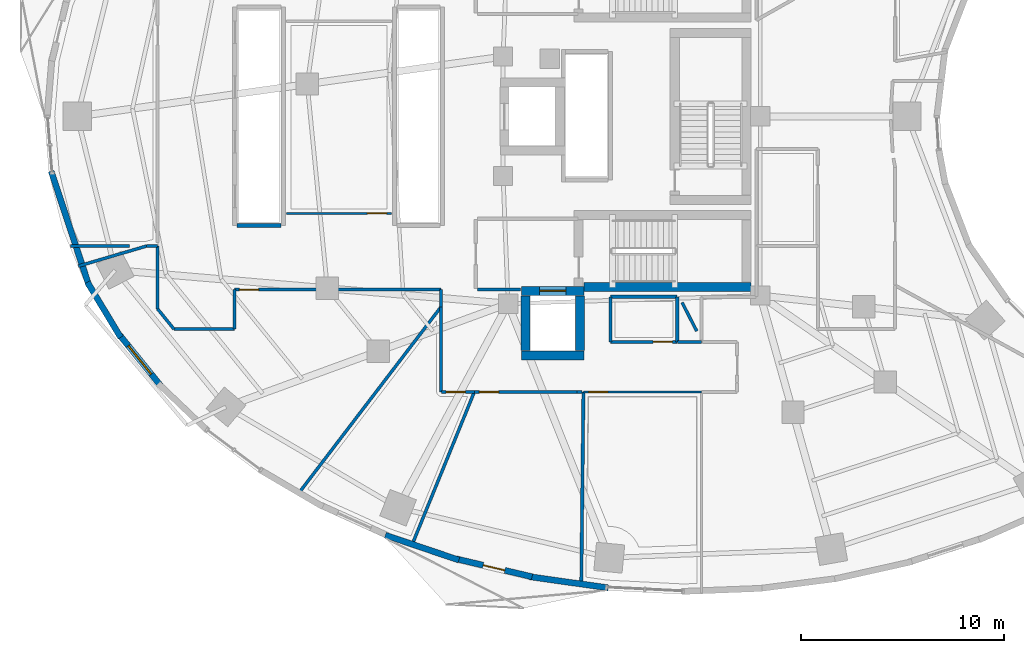
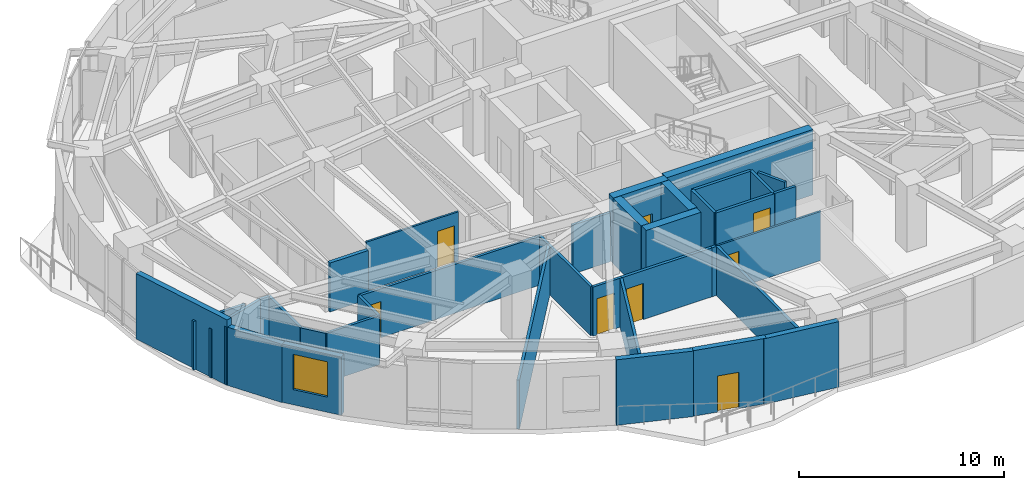
# One storey, part 8 of 15: 37 walls, 8 doors, 1 window, 9 openings.
"""IFC4 building model written with IfcOpenShell, lengths in metres."""

from ifc_helpers import new_model, si_unit, direction, frame, frame_2d, origin, place, context, subcontext, project, spatial, rectangle, extrude, material, layer, layer_set, type_object, element, fill, save


model = new_model("IFC4")

# Units and contexts
model_context = context("Model", 3, precision=1e-05, world=origin(), true_north=direction((0.0, 1.0)))
body_context = subcontext(model_context, "Body", "Model", "MODEL_VIEW")
ifc_project = project(units=[si_unit("LENGTHUNIT", "METRE"), si_unit("AREAUNIT", "SQUARE_METRE"), si_unit("VOLUMEUNIT", "CUBIC_METRE"), si_unit("PLANEANGLEUNIT", "RADIAN"), si_unit("MASSUNIT", "GRAM", prefix="KILO")], contexts=[model_context])

# Site, building, storey
site_placement = place(None, origin())
site = spatial("IfcSite", under=ifc_project, at=site_placement, CompositionType="ELEMENT")
building_placement = place(site_placement, origin())
building = spatial("IfcBuilding", under=site, at=building_placement, Name="Korentha Bioscience Tower", CompositionType="ELEMENT")
storey_placement = place(building_placement, frame((0.0, 0.0, 42.60009765625)))
storey = spatial("IfcBuildingStorey", under=building, at=storey_placement, Name="L09", CompositionType="ELEMENT", Elevation=42.60009765625)

# Wall, opening, door
ifc_material_1 = material(Name="Double-Stud Acoustic Gypsum", Category="gypsum")
ifc_layer_1 = layer(ifc_material_1, 0.14990234375, Name="Double-Stud Acoustic Gypsum")
ifc_layer_set_1 = layer_set([ifc_layer_1], Name="Double-Stud Acoustic Gypsum (IW-L150)")
wall_type_1 = type_object("IfcWallType", Name="Acoustic Laboratory Partition Wall 150", PredefinedType="PARTITIONING", material=ifc_layer_set_1)
wall_1_placement = place(storey_placement, frame((11.590087890625, 18.43994140625, 0.0), z_axis=(0.0, 0.0, 1.0), x_axis=(1.0, 0.0, 0.0)))
wall_1 = element("IfcWall", 1, at=wall_1_placement, inside=storey, type_object=wall_type_1, Name="L09 Research Colloquium Seminar Room 02 Entrance Wall", PredefinedType="PARTITIONING", context=body_context, shape_type="SweptSolid", body=[
    extrude(rectangle(XDim=10.199951171875, YDim=0.14990234375, at=frame_2d((5.10009765625, 0.0))), origin(), (0.0, 0.0, 1.0), 2.909912109375),
])
opening_1_placement = place(wall_1_placement, frame((0.239990234375, 0.0, 0.0)))
opening_1 = element("IfcOpeningElement", 2, at=opening_1_placement, cuts=wall_1, Name="Opening ID-10L", PredefinedType="OPENING", context=body_context, shape_type="SweptSolid", body=[
    extrude(rectangle(XDim=0.949951171875, YDim=2.14990234375, at=frame_2d((0.47509765625, 1.074951171875))), frame((0.0, 0.08984375, 0.0), z_axis=(0.0, -1.0, 0.0), x_axis=(1.0, 0.0, 0.0)), (0.0, 0.0, 1.0), 0.1796875),
])
ifc_material_2 = material(Name="Phenolic Laminate Timber Core", Category="wood")
door_type_1 = type_object("IfcDoorType", Name="Laboratory Single Leaf Door 950x2150 Left", OperationType="SINGLE_SWING_LEFT", PredefinedType="DOOR", material=ifc_material_2)
door_1_placement = place(opening_1_placement, origin())
door_1 = element("IfcDoor", 3, at=door_1_placement, inside=storey, type_object=door_type_1, Name="L09 Research Colloquium Seminar Room 02 Door", OperationType="SINGLE_SWING_LEFT", OverallHeight=2.14990234375, OverallWidth=0.949951171875, PredefinedType="DOOR", context=body_context, shape_type="SweptSolid", body=[
    extrude(rectangle(XDim=0.949951171875, YDim=2.14990234375, at=frame_2d((0.47509765625, 1.074951171875))), frame((0.0, 0.02490234375, 0.0), z_axis=(0.0, -1.0, 0.0), x_axis=(1.0, 0.0, 0.0)), (0.0, 0.0, 1.0), 0.050048828125),
])
fill(opening_1, door_1)

wall_2_placement = place(storey_placement, frame((21.800048828125, 13.389892578125, 0.0), z_axis=(0.0, 0.0, 1.0), x_axis=(1.0, 0.0, 0.0)))
wall_2 = element("IfcWall", 4, at=wall_2_placement, inside=storey, type_object=wall_type_1, Name="L09 Staff Pantry Kitchenette 03 Entrance Wall", PredefinedType="PARTITIONING", context=body_context, shape_type="SweptSolid", body=[
    extrude(rectangle(XDim=1.629150390625, YDim=0.14990234375, at=frame_2d((0.814453125, 0.0))), origin(), (0.0, 0.0, 1.0), 2.909912109375),
])
opening_2_placement = place(wall_2_placement, frame((0.239990234375, 0.0, 0.0)))
opening_2 = element("IfcOpeningElement", 5, at=opening_2_placement, cuts=wall_2, Name="Opening ID-10R", PredefinedType="OPENING", context=body_context, shape_type="SweptSolid", body=[
    extrude(rectangle(XDim=0.949951171875, YDim=2.14990234375, at=frame_2d((0.47509765625, 1.074951171875))), frame((0.0, 0.08984375, 0.0), z_axis=(0.0, -1.0, 0.0), x_axis=(1.0, 0.0, 0.0)), (0.0, 0.0, 1.0), 0.1796875),
])
door_type_2 = type_object("IfcDoorType", Name="Laboratory Single Leaf Door 950x2150 Right", OperationType="SINGLE_SWING_RIGHT", PredefinedType="DOOR", material=ifc_material_2)
door_2_placement = place(opening_2_placement, origin())
door_2 = element("IfcDoor", 6, at=door_2_placement, inside=storey, type_object=door_type_2, Name="L09 Staff Pantry Kitchenette 03 Door", OperationType="SINGLE_SWING_RIGHT", OverallHeight=2.14990234375, OverallWidth=0.949951171875, PredefinedType="DOOR", context=body_context, shape_type="SweptSolid", body=[
    extrude(rectangle(XDim=0.949951171875, YDim=2.14990234375, at=frame_2d((0.47509765625, 1.074951171875))), frame((0.0, 0.02490234375, 0.0), z_axis=(0.0, -1.0, 0.0), x_axis=(1.0, 0.0, 0.0)), (0.0, 0.0, 1.0), 0.050048828125),
])
fill(opening_2, door_2)

# Walls
wall_3_placement = place(storey_placement, frame((3.87939453125, 19.60546875, 0.0), z_axis=(0.0, 0.0, 1.0), x_axis=(0.959249199887, 0.282561449097, 0.0)))
element("IfcWall", 7, at=wall_3_placement, inside=storey, type_object=wall_type_1, Name="L09 Interior Partition 024", PredefinedType="PARTITIONING", context=body_context, shape_type="SweptSolid", body=[
    extrude(rectangle(XDim=3.51220703125, YDim=0.14990234375, at=frame_2d((1.756103515625, 0.0))), origin(), (0.0, 0.0, 1.0), 2.909912109375),
])
wall_4_placement = place(storey_placement, frame((7.24853515625, 20.597900390625, 0.0), z_axis=(0.0, 0.0, 1.0), x_axis=(1.0, 0.0, 0.0)))
element("IfcWall", 8, at=wall_4_placement, inside=storey, type_object=wall_type_1, Name="L09 Interior Partition 025", PredefinedType="PARTITIONING", context=body_context, shape_type="SweptSolid", body=[
    extrude(rectangle(XDim=0.54150390625, YDim=0.14990234375, at=frame_2d((0.270751953125, 0.0))), origin(), (0.0, 0.0, 1.0), 2.909912109375),
])
wall_5_placement = place(storey_placement, frame((7.7900390625, 20.597900390625, 0.0), z_axis=(0.0, 0.0, 1.0), x_axis=(0.0, -1.0, 0.0)))
element("IfcWall", 9, at=wall_5_placement, inside=storey, type_object=wall_type_1, Name="L09 Interior Partition 026", PredefinedType="PARTITIONING", context=body_context, shape_type="SweptSolid", body=[
    extrude(rectangle(XDim=3.09912109375, YDim=0.14990234375, at=frame_2d((1.549560546875, 0.0))), origin(), (0.0, 0.0, 1.0), 2.909912109375),
])
wall_6_placement = place(storey_placement, frame((7.792236328125, 17.492431640625, 0.0), z_axis=(0.0, 0.0, 1.0), x_axis=(0.629225554682, -0.777222748854, 0.0)))
element("IfcWall", 10, at=wall_6_placement, inside=storey, type_object=wall_type_1, Name="L09 Interior Partition 027", PredefinedType="PARTITIONING", context=body_context, shape_type="SweptSolid", body=[
    extrude(rectangle(XDim=1.28515625, YDim=0.14990234375, at=frame_2d((0.642578125, 0.0))), origin(), (0.0, 0.0, 1.0), 2.909912109375),
])
wall_7_placement = place(storey_placement, frame((8.608642578125, 16.489990234375, 0.0), z_axis=(0.0, 0.0, 1.0), x_axis=(1.0, 0.0, 0.0)))
element("IfcWall", 11, at=wall_7_placement, inside=storey, type_object=wall_type_1, Name="L09 Interior Partition 028", PredefinedType="PARTITIONING", context=body_context, shape_type="SweptSolid", body=[
    extrude(rectangle(XDim=2.971435546875, YDim=0.14990234375, at=frame_2d((1.48583984375, 0.0))), origin(), (0.0, 0.0, 1.0), 2.909912109375),
])
wall_8_placement = place(storey_placement, frame((11.590087890625, 16.5, 0.0), z_axis=(0.0, 0.0, 1.0), x_axis=(0.0, 1.0, 0.0)))
element("IfcWall", 12, at=wall_8_placement, inside=storey, type_object=wall_type_1, Name="L09 Interior Partition 029", PredefinedType="PARTITIONING", context=body_context, shape_type="SweptSolid", body=[
    extrude(rectangle(XDim=1.93994140625, YDim=0.14990234375, at=frame_2d((0.969970703125, 0.0))), origin(), (0.0, 0.0, 1.0), 2.909912109375),
])
wall_9_placement = place(storey_placement, frame((21.7900390625, 18.43994140625, 0.0), z_axis=(0.0, 0.0, 1.0), x_axis=(0.0, -1.0, 0.0)))
element("IfcWall", 13, at=wall_9_placement, inside=storey, type_object=wall_type_1, Name="L09 Interior Partition 030", PredefinedType="PARTITIONING", context=body_context, shape_type="SweptSolid", body=[
    extrude(rectangle(XDim=0.842041015625, YDim=0.14990234375, at=frame_2d((0.4208984375, 0.0))), origin(), (0.0, 0.0, 1.0), 2.909912109375),
])
wall_10_placement = place(storey_placement, frame((21.7900390625, 17.597900390625, 0.0), z_axis=(0.0, 0.0, 1.0), x_axis=(-0.606985155119, -0.794713169304, 0.0)))
element("IfcWall", 14, at=wall_10_placement, inside=storey, type_object=wall_type_1, Name="L09 Interior Partition 031", PredefinedType="PARTITIONING", context=body_context, shape_type="SweptSolid", body=[
    extrude(rectangle(XDim=11.67724609375, YDim=0.14990234375, at=frame_2d((5.838623046875, 0.0))), origin(), (0.0, 0.0, 1.0), 2.909912109375),
])
wall_11_placement = place(storey_placement, frame((21.7900390625, 17.581298828125, 0.0), z_axis=(0.0, 0.0, 1.0), x_axis=(0.0, -1.0, 0.0)))
element("IfcWall", 15, at=wall_11_placement, inside=storey, type_object=wall_type_1, Name="L09 Interior Partition 032", PredefinedType="PARTITIONING", context=body_context, shape_type="SweptSolid", body=[
    extrude(rectangle(XDim=4.181396484375, YDim=0.14990234375, at=frame_2d((2.0908203125, 0.0))), origin(), (0.0, 0.0, 1.0), 2.909912109375),
])
wall_12_placement = place(storey_placement, frame((23.42919921875, 13.389892578125, 0.0), z_axis=(0.0, 0.0, 1.0), x_axis=(-0.377151920135, -0.926151407243, 0.0)))
element("IfcWall", 16, at=wall_12_placement, inside=storey, type_object=wall_type_1, Name="L09 Interior Partition 033", PredefinedType="PARTITIONING", context=body_context, shape_type="SweptSolid", body=[
    extrude(rectangle(XDim=8.238525390625, YDim=0.14990234375, at=frame_2d((4.119140625, 0.0))), origin(), (0.0, 0.0, 1.0), 2.909912109375),
])
wall_13_placement = place(storey_placement, frame((34.64794921875, 15.860107421875, 0.0), z_axis=(0.0, 0.0, 1.0), x_axis=(-1.0, 0.0, 0.0)))
element("IfcWall", 17, at=wall_13_placement, inside=storey, type_object=wall_type_1, Name="L09 Interior Partition 049", PredefinedType="PARTITIONING", context=body_context, shape_type="SweptSolid", body=[
    extrude(rectangle(XDim=1.18798828125, YDim=0.14990234375, at=frame_2d((0.593994140625, 0.0))), origin(), (0.0, 0.0, 1.0), 2.909912109375),
])
wall_14_placement = place(storey_placement, frame((33.68994140625, 17.80712890625, 0.0), z_axis=(0.0, 0.0, 1.0), x_axis=(0.45676175153, -0.889589063747, 0.0)))
element("IfcWall", 18, at=wall_14_placement, inside=storey, type_object=wall_type_1, Name="L09 Interior Partition 050", PredefinedType="PARTITIONING", context=body_context, shape_type="SweptSolid", body=[
    extrude(rectangle(XDim=1.5810546875, YDim=0.14990234375, at=frame_2d((0.79052734375, 0.0))), origin(), (0.0, 0.0, 1.0), 2.909912109375),
])
wall_15_placement = place(storey_placement, frame((6.412841796875, 20.60205078125, 0.0), z_axis=(0.0, 0.0, 1.0), x_axis=(-1.0, 0.0, 0.0)))
element("IfcWall", 19, at=wall_15_placement, inside=storey, type_object=wall_type_1, Name="L09 Interior Partition 082", PredefinedType="PARTITIONING", context=body_context, shape_type="SweptSolid", body=[
    extrude(rectangle(XDim=2.928955078125, YDim=0.14990234375, at=frame_2d((1.46435546875, 0.0))), origin(), (0.0, 0.0, 1.0), 2.909912109375),
])

# Wall, opening, door
ifc_material_3 = material(Name="Fire-Rated Framed Glass", Category="glass")
ifc_layer_2 = layer(ifc_material_3, 0.110107421875, Name="Fire-Rated Framed Glass")
ifc_layer_set_2 = layer_set([ifc_layer_2], Name="Fire-Rated Framed Glass (IW-G110)")
wall_type_2 = type_object("IfcWallType", Name="Demountable Glazed Office Partition 110", PredefinedType="MOVABLE", material=ifc_layer_set_2)
wall_16_placement = place(storey_placement, frame((19.340087890625, 22.2099609375, 0.0), z_axis=(0.0, 0.0, 1.0), x_axis=(-1.0, 0.0, 0.0)))
wall_16 = element("IfcWall", 20, at=wall_16_placement, inside=storey, type_object=wall_type_2, Name="L09 Principal Investigator Office 01 Entrance Wall", PredefinedType="MOVABLE", context=body_context, shape_type="SweptSolid", body=[
    extrude(rectangle(XDim=5.18017578125, YDim=0.110107421875, at=frame_2d((2.590087890625, 0.0))), origin(), (0.0, 0.0, 1.0), 2.909912109375),
])
opening_3_placement = place(wall_16_placement, frame((0.239990234375, 0.0, 0.0)))
opening_3 = element("IfcOpeningElement", 21, at=opening_3_placement, cuts=wall_16, Name="Opening ID-10R", PredefinedType="OPENING", context=body_context, shape_type="SweptSolid", body=[
    extrude(rectangle(XDim=0.949951171875, YDim=2.14990234375, at=frame_2d((0.47509765625, 1.074951171875))), frame((0.0, 0.06982421875, 0.0), z_axis=(0.0, -1.0, 0.0), x_axis=(1.0, 0.0, 0.0)), (0.0, 0.0, 1.0), 0.139892578125),
])
door_3_placement = place(opening_3_placement, origin())
door_3 = element("IfcDoor", 22, at=door_3_placement, inside=storey, type_object=door_type_2, Name="L09 Principal Investigator Office 01 Door", OperationType="SINGLE_SWING_RIGHT", OverallHeight=2.14990234375, OverallWidth=0.949951171875, PredefinedType="DOOR", context=body_context, shape_type="SweptSolid", body=[
    extrude(rectangle(XDim=0.949951171875, YDim=2.14990234375, at=frame_2d((0.47509765625, 1.074951171875))), frame((0.0, 0.02490234375, 0.0), z_axis=(0.0, -1.0, 0.0), x_axis=(1.0, 0.0, 0.0)), (0.0, 0.0, 1.0), 0.050048828125),
])
fill(opening_3, door_3)

wall_17_placement = place(storey_placement, frame((28.828857421875, 13.389892578125, 0.0), z_axis=(0.0, 0.0, 1.0), x_axis=(1.0, 0.0, 0.0)))
wall_17 = element("IfcWall", 23, at=wall_17_placement, inside=storey, type_object=wall_type_2, Name="L09 Clinical Advisory Boardroom 05 Entrance Wall", PredefinedType="MOVABLE", context=body_context, shape_type="SweptSolid", body=[
    extrude(rectangle(XDim=5.819091796875, YDim=0.110107421875, at=frame_2d((2.90966796875, 0.0))), origin(), (0.0, 0.0, 1.0), 2.909912109375),
])
opening_4_placement = place(wall_17_placement, frame((0.239990234375, 0.0, 0.0)))
opening_4 = element("IfcOpeningElement", 24, at=opening_4_placement, cuts=wall_17, Name="Opening ID-10R", PredefinedType="OPENING", context=body_context, shape_type="SweptSolid", body=[
    extrude(rectangle(XDim=0.949951171875, YDim=2.14990234375, at=frame_2d((0.47509765625, 1.074951171875))), frame((0.0, 0.06982421875, 0.0), z_axis=(0.0, -1.0, 0.0), x_axis=(1.0, 0.0, 0.0)), (0.0, 0.0, 1.0), 0.139892578125),
])
door_4_placement = place(opening_4_placement, origin())
door_4 = element("IfcDoor", 25, at=door_4_placement, inside=storey, type_object=door_type_2, Name="L09 Clinical Advisory Boardroom 05 Door", OperationType="SINGLE_SWING_RIGHT", OverallHeight=2.14990234375, OverallWidth=0.949951171875, PredefinedType="DOOR", context=body_context, shape_type="SweptSolid", body=[
    extrude(rectangle(XDim=0.949951171875, YDim=2.14990234375, at=frame_2d((0.47509765625, 1.074951171875))), frame((0.0, 0.02490234375, 0.0), z_axis=(0.0, -1.0, 0.0), x_axis=(1.0, 0.0, 0.0)), (0.0, 0.0, 1.0), 0.050048828125),
])
fill(opening_4, door_4)

# Wall
ifc_material_4 = material(Name="Gypsum-Clad Steel Stud", Category="steel")
ifc_layer_3 = layer(ifc_material_4, 0.159912109375, Name="Gypsum-Clad Steel Stud")
ifc_layer_set_3 = layer_set([ifc_layer_3], Name="Gypsum-Clad Steel Stud (IW-C160)")
wall_type_3 = type_object("IfcWallType", Name="Fire-Rated Corridor Partition Wall 160", PredefinedType="PARTITIONING", material=ifc_layer_set_3)
wall_18_placement = place(storey_placement, frame((23.580078125, 18.449951171875, 0.0), z_axis=(0.0, 0.0, 1.0), x_axis=(1.0, 0.0, 0.0)))
element("IfcWall", 26, at=wall_18_placement, inside=storey, type_object=wall_type_3, Name="L09 Firefighting Lobby Return Wall FFLS-S", PredefinedType="PARTITIONING", context=body_context, shape_type="SweptSolid", body=[
    extrude(rectangle(XDim=2.119873046875, YDim=0.159912109375, at=frame_2d((1.06005859375, 0.0))), origin(), (0.0, 0.0, 1.0), 2.909912109375),
])

# Wall, opening, door
wall_19_placement = place(storey_placement, frame((33.449951171875, 15.860107421875, 0.0), z_axis=(0.0, 0.0, 1.0), x_axis=(-1.0, 0.0, 0.0)))
wall_19 = element("IfcWall", 27, at=wall_19_placement, inside=storey, type_object=wall_type_3, Name="L09 Core Instrumentation and Gas Store Entrance Wall", PredefinedType="PARTITIONING", context=body_context, shape_type="SweptSolid", body=[
    extrude(rectangle(XDim=3.300048828125, YDim=0.159912109375, at=frame_2d((1.64990234375, 0.0))), origin(), (0.0, 0.0, 1.0), 2.909912109375),
])
opening_5_placement = place(wall_19_placement, frame((0.239990234375, 0.0, 0.0)))
opening_5 = element("IfcOpeningElement", 28, at=opening_5_placement, cuts=wall_19, Name="Opening ID-10R", PredefinedType="OPENING", context=body_context, shape_type="SweptSolid", body=[
    extrude(rectangle(XDim=0.949951171875, YDim=2.14990234375, at=frame_2d((0.47509765625, 1.074951171875))), frame((0.0, 0.0947265625, 0.0), z_axis=(0.0, -1.0, 0.0), x_axis=(1.0, 0.0, 0.0)), (0.0, 0.0, 1.0), 0.189697265625),
])
door_5_placement = place(opening_5_placement, origin())
door_5 = element("IfcDoor", 29, at=door_5_placement, inside=storey, type_object=door_type_2, Name="L09 Core Instrumentation and Gas Store Door", OperationType="SINGLE_SWING_RIGHT", OverallHeight=2.14990234375, OverallWidth=0.949951171875, PredefinedType="DOOR", context=body_context, shape_type="SweptSolid", body=[
    extrude(rectangle(XDim=0.949951171875, YDim=2.14990234375, at=frame_2d((0.47509765625, 1.074951171875))), frame((0.0, 0.02490234375, 0.0), z_axis=(0.0, -1.0, 0.0), x_axis=(1.0, 0.0, 0.0)), (0.0, 0.0, 1.0), 0.050048828125),
])
fill(opening_5, door_5)

wall_20_placement = place(storey_placement, frame((23.439208984375, 13.389892578125, 0.0), z_axis=(0.0, 0.0, 1.0), x_axis=(1.0, 0.0, 0.0)))
wall_20 = element("IfcWall", 30, at=wall_20_placement, inside=storey, type_object=wall_type_3, Name="L09 Biospecimen Archive Store 04 Entrance Wall", PredefinedType="PARTITIONING", context=body_context, shape_type="SweptSolid", body=[
    extrude(rectangle(XDim=5.060791015625, YDim=0.159912109375, at=frame_2d((2.5302734375, 0.0))), origin(), (0.0, 0.0, 1.0), 2.909912109375),
])
opening_6_placement = place(wall_20_placement, frame((0.239990234375, 0.0, 0.0)))
opening_6 = element("IfcOpeningElement", 31, at=opening_6_placement, cuts=wall_20, Name="Opening ID-10L", PredefinedType="OPENING", context=body_context, shape_type="SweptSolid", body=[
    extrude(rectangle(XDim=0.949951171875, YDim=2.14990234375, at=frame_2d((0.47509765625, 1.074951171875))), frame((0.0, 0.0947265625, 0.0), z_axis=(0.0, -1.0, 0.0), x_axis=(1.0, 0.0, 0.0)), (0.0, 0.0, 1.0), 0.189697265625),
])
door_6_placement = place(opening_6_placement, origin())
door_6 = element("IfcDoor", 32, at=door_6_placement, inside=storey, type_object=door_type_1, Name="L09 Biospecimen Archive Store 04 Door", OperationType="SINGLE_SWING_LEFT", OverallHeight=2.14990234375, OverallWidth=0.949951171875, PredefinedType="DOOR", context=body_context, shape_type="SweptSolid", body=[
    extrude(rectangle(XDim=0.949951171875, YDim=2.14990234375, at=frame_2d((0.47509765625, 1.074951171875))), frame((0.0, 0.02490234375, 0.0), z_axis=(0.0, -1.0, 0.0), x_axis=(1.0, 0.0, 0.0)), (0.0, 0.0, 1.0), 0.050048828125),
])
fill(opening_6, door_6)

# Walls
wall_21_placement = place(storey_placement, frame((30.14990234375, 15.860107421875, 0.0), z_axis=(0.0, 0.0, 1.0), x_axis=(0.0, 1.0, 0.0)))
element("IfcWall", 33, at=wall_21_placement, inside=storey, type_object=wall_type_3, Name="L09 Interior Partition 018", PredefinedType="PARTITIONING", context=body_context, shape_type="SweptSolid", body=[
    extrude(rectangle(XDim=2.22998046875, YDim=0.159912109375, at=frame_2d((1.114990234375, 0.0))), origin(), (0.0, 0.0, 1.0), 2.909912109375),
])
wall_22_placement = place(storey_placement, frame((30.14990234375, 18.090087890625, 0.0), z_axis=(0.0, 0.0, 1.0), x_axis=(1.0, 0.0, 0.0)))
element("IfcWall", 34, at=wall_22_placement, inside=storey, type_object=wall_type_3, Name="L09 Interior Partition 019", PredefinedType="PARTITIONING", context=body_context, shape_type="SweptSolid", body=[
    extrude(rectangle(XDim=3.300048828125, YDim=0.159912109375, at=frame_2d((1.64990234375, 0.0))), origin(), (0.0, 0.0, 1.0), 2.909912109375),
])
wall_23_placement = place(storey_placement, frame((33.449951171875, 18.090087890625, 0.0), z_axis=(0.0, 0.0, 1.0), x_axis=(0.0, -1.0, 0.0)))
element("IfcWall", 35, at=wall_23_placement, inside=storey, type_object=wall_type_3, Name="L09 Interior Partition 020", PredefinedType="PARTITIONING", context=body_context, shape_type="SweptSolid", body=[
    extrude(rectangle(XDim=2.22998046875, YDim=0.159912109375, at=frame_2d((1.114990234375, 0.0))), origin(), (0.0, 0.0, 1.0), 2.909912109375),
])
wall_24_placement = place(storey_placement, frame((28.5, 13.389892578125, 0.0), z_axis=(0.0, 0.0, 1.0), x_axis=(1.0, 0.0, 0.0)))
element("IfcWall", 36, at=wall_24_placement, inside=storey, type_object=wall_type_3, Name="L09 Interior Partition 034", PredefinedType="PARTITIONING", context=body_context, shape_type="SweptSolid", body=[
    extrude(rectangle(XDim=0.23583984375, YDim=0.159912109375, at=frame_2d((0.117919921875, 0.0))), origin(), (0.0, 0.0, 1.0), 2.909912109375),
])
wall_25_placement = place(storey_placement, frame((28.81884765625, 13.389892578125, 0.0), z_axis=(0.0, 0.0, 1.0), x_axis=(-0.011213820346, -0.99993712314, 0.0)))
element("IfcWall", 37, at=wall_25_placement, inside=storey, type_object=wall_type_3, Name="L09 Interior Partition 035", PredefinedType="PARTITIONING", context=body_context, shape_type="SweptSolid", body=[
    extrude(rectangle(XDim=9.60107421875, YDim=0.159912109375, at=frame_2d((4.800537109375, 0.0))), origin(), (0.0, 0.0, 1.0), 2.909912109375),
])

# Wall, opening, window
ifc_material_5 = material(Name="Honed Limestone Precast Concrete C40", Category="masonry")
ifc_layer_4 = layer(ifc_material_5, 0.300048828125, Name="Honed Limestone Precast Concrete C40")
ifc_layer_set_4 = layer_set([ifc_layer_4], Name="Honed Limestone Precast Concrete C40 (EW-ST300)")
wall_type_4 = type_object("IfcWallType", Name="Honed Limestone Cavity Spandrel Wall 300", PredefinedType="STANDARD", material=ifc_layer_set_4)
wall_26_placement = place(storey_placement, frame((5.893798828125, 16.229736328125, 0.0), z_axis=(0.0, 0.0, 1.0), x_axis=(0.629295540187, -0.777166084631, 0.0)))
wall_26 = element("IfcWall", 38, at=wall_26_placement, inside=storey, type_object=wall_type_4, Name="L09 Honed Limestone Spandrel Wall 23", PredefinedType="STANDARD", context=body_context, shape_type="SweptSolid", body=[
    extrude(rectangle(XDim=3.24755859375, YDim=0.300048828125, at=frame_2d((1.623779296875, 0.0))), origin(), (0.0, 0.0, 1.0), 3.469970703125),
])
opening_7_placement = place(wall_26_placement, frame((0.723876953125, 0.0, 0.89990234375)))
opening_7 = element("IfcOpeningElement", 39, at=opening_7_placement, cuts=wall_26, Name="Opening WN-01", PredefinedType="OPENING", context=body_context, shape_type="SweptSolid", body=[
    extrude(rectangle(XDim=1.800048828125, YDim=2.10009765625, at=frame_2d((0.89990234375, 1.050048828125))), frame((0.0, 0.1650390625, 0.0), z_axis=(0.0, -1.0, 0.0), x_axis=(1.0, 0.0, 0.0)), (0.0, 0.0, 1.0), 0.329833984375),
])
ifc_material_6 = material(Name="Thermally Broken Aluminium Triple Glazing", Category="aluminium")
window_type = type_object("IfcWindowType", Name="Triple-Glazed Fixed Bioscience Window 1800x2100", PartitioningType="SINGLE_PANEL", PredefinedType="WINDOW", material=ifc_material_6)
window_placement = place(opening_7_placement, origin())
window = element("IfcWindow", 40, at=window_placement, inside=storey, type_object=window_type, Name="L09 Facade Window 23", OverallHeight=2.10009765625, OverallWidth=1.800048828125, PartitioningType="SINGLE_PANEL", PredefinedType="WINDOW", context=body_context, shape_type="SweptSolid", body=[
    extrude(rectangle(XDim=1.800048828125, YDim=2.10009765625, at=frame_2d((0.89990234375, 1.050048828125))), frame((0.0, 0.030029296875, 0.0), z_axis=(0.0, -1.0, 0.0), x_axis=(1.0, 0.0, 0.0)), (0.0, 0.0, 1.0), 0.06005859375),
])
fill(opening_7, window)

# Wall, opening, door
wall_27_placement = place(storey_placement, frame((22.524658203125, 5.1533203125, 0.0), z_axis=(0.0, 0.0, 1.0), x_axis=(0.973186156802, -0.230018921417, 0.0)))
wall_27 = element("IfcWall", 41, at=wall_27_placement, inside=storey, type_object=wall_type_4, Name="L09 Balcony Threshold Wall 03", PredefinedType="STANDARD", context=body_context, shape_type="SweptSolid", body=[
    extrude(rectangle(XDim=3.861328125, YDim=0.300048828125, at=frame_2d((1.9306640625, 0.0))), origin(), (0.0, 0.0, 1.0), 3.89990234375),
])
opening_8_placement = place(wall_27_placement, frame((1.380615234375, 0.0, 0.0)))
opening_8 = element("IfcOpeningElement", 42, at=opening_8_placement, cuts=wall_27, Name="Opening BD-11L", PredefinedType="OPENING", context=body_context, shape_type="SweptSolid", body=[
    extrude(rectangle(XDim=1.10009765625, YDim=2.14990234375, at=frame_2d((0.550048828125, 1.074951171875))), frame((0.0, 0.1650390625, 0.0), z_axis=(0.0, -1.0, 0.0), x_axis=(1.0, 0.0, 0.0)), (0.0, 0.0, 1.0), 0.329833984375),
])
ifc_material_7 = material(Name="Thermally Broken Glazed Aluminium", Category="aluminium")
door_type_3 = type_object("IfcDoorType", Name="Balcony Terrace Glazed Door 1100x2150 Left", OperationType="SINGLE_SWING_LEFT", PredefinedType="DOOR", material=ifc_material_7)
door_7_placement = place(opening_8_placement, origin())
door_7 = element("IfcDoor", 43, at=door_7_placement, inside=storey, type_object=door_type_3, Name="L09 Balcony Access Door 03", OperationType="SINGLE_SWING_LEFT", OverallHeight=2.14990234375, OverallWidth=1.10009765625, PredefinedType="DOOR", context=body_context, shape_type="SweptSolid", body=[
    extrude(rectangle(XDim=1.10009765625, YDim=2.14990234375, at=frame_2d((0.550048828125, 1.074951171875))), frame((0.0, 0.02490234375, 0.0), z_axis=(0.0, -1.0, 0.0), x_axis=(1.0, 0.0, 0.0)), (0.0, 0.0, 1.0), 0.050048828125),
])
fill(opening_8, door_7)

# Walls
wall_28_placement = place(storey_placement, frame((2.537353515625, 24.289306640625, 0.0), z_axis=(0.0, 0.0, 1.0), x_axis=(0.31372816724, -0.949512841978, 0.0)))
element("IfcWall", 44, at=wall_28_placement, inside=storey, type_object=wall_type_4, Name="L09 Limestone Perimeter Closure Wall 20", PredefinedType="STANDARD", context=body_context, shape_type="SweptSolid", body=[
    extrude(rectangle(XDim=5.950927734375, YDim=0.300048828125, at=frame_2d((2.9755859375, 0.0))), origin(), (0.0, 0.0, 1.0), 3.89990234375),
])
wall_29_placement = place(storey_placement, frame((4.324951171875, 18.8115234375, 0.0), z_axis=(0.0, 0.0, 1.0), x_axis=(0.516423528484, -0.856333310825, 0.0)))
element("IfcWall", 45, at=wall_29_placement, inside=storey, type_object=wall_type_4, Name="L09 Limestone Perimeter Closure Wall 22", PredefinedType="STANDARD", context=body_context, shape_type="SweptSolid", body=[
    extrude(rectangle(XDim=3.1826171875, YDim=0.300048828125, at=frame_2d((1.59130859375, 0.0))), origin(), (0.0, 0.0, 1.0), 3.469970703125),
])
wall_30_placement = place(storey_placement, frame((19.0400390625, 6.32080078125, 0.0), z_axis=(0.0, 0.0, 1.0), x_axis=(0.94702579403, -0.321157508773, 0.0)))
element("IfcWall", 46, at=wall_30_placement, inside=storey, type_object=wall_type_4, Name="L09 Limestone Perimeter Closure Wall 28", PredefinedType="STANDARD", context=body_context, shape_type="SweptSolid", body=[
    extrude(rectangle(XDim=3.829833984375, YDim=0.300048828125, at=frame_2d((1.9150390625, 0.0))), origin(), (0.0, 0.0, 1.0), 3.89990234375),
])
wall_31_placement = place(storey_placement, frame((26.127685546875, 4.273193359375, 0.0), z_axis=(0.0, 0.0, 1.0), x_axis=(0.990165832998, -0.139898617443, 0.0)))
element("IfcWall", 47, at=wall_31_placement, inside=storey, type_object=wall_type_4, Name="L09 Limestone Perimeter Closure Wall 30", PredefinedType="STANDARD", context=body_context, shape_type="SweptSolid", body=[
    extrude(rectangle(XDim=3.950927734375, YDim=0.300048828125, at=frame_2d((1.9755859375, 0.0))), origin(), (0.0, 0.0, 1.0), 3.89990234375),
])
ifc_material_8 = material(Name="Autoclaved Aerated Concrete Block C25", Category="concrete")
ifc_layer_5 = layer(ifc_material_8, 0.199951171875, Name="Autoclaved Aerated Concrete Block C25")
ifc_layer_set_5 = layer_set([ifc_layer_5], Name="Autoclaved Aerated Concrete Block C25 (IW-S200)")
wall_type_5 = type_object("IfcWallType", Name="Lift and Riser Shaft Enclosure Wall 200", PredefinedType="PARTITIONING", material=ifc_layer_set_5)
wall_32_placement = place(storey_placement, frame((11.719970703125, 21.60009765625, 0.0), z_axis=(0.0, 0.0, 1.0), x_axis=(1.0, 0.0, 0.0)))
element("IfcWall", 48, at=wall_32_placement, inside=storey, type_object=wall_type_5, Name="L09 Lift Bank LOW Shaft Wall -Y", PredefinedType="PARTITIONING", context=body_context, shape_type="SweptSolid", body=[
    extrude(rectangle(XDim=2.159912109375, YDim=0.199951171875, at=frame_2d((1.080078125, 0.0))), origin(), (0.0, 0.0, 1.0), 2.909912109375),
])
ifc_material_9 = material(Name="Concrete C80", Category="concrete")
ifc_layer_6 = layer(ifc_material_9, 0.449951171875, Name="Concrete C80")
ifc_layer_set_6 = layer_set([ifc_layer_6], Name="Concrete C80 (CW-C80)")
wall_type_6 = type_object("IfcWallType", Name="Lower Core Shear Wall 450", PredefinedType="SHEAR", material=ifc_layer_set_6)
wall_33_placement = place(storey_placement, frame((28.85205078125, 18.574951171875, 0.0), z_axis=(0.0, 0.0, 1.0), x_axis=(1.0, 0.0, 0.0)))
element("IfcWall", 49, at=wall_33_placement, inside=storey, type_object=wall_type_6, Name="L09 Core Shear Wall ST2-S", PredefinedType="SHEAR", context=body_context, shape_type="SweptSolid", body=[
    extrude(rectangle(XDim=8.248046875, YDim=0.449951171875, at=frame_2d((4.1240234375, 0.0))), origin(), (0.0, 0.0, 1.0), 3.89990234375),
])
wall_34_placement = place(storey_placement, frame((25.75, 15.199951171875, 0.0), z_axis=(0.0, 0.0, 1.0), x_axis=(1.0, 0.0, 0.0)))
element("IfcWall", 50, at=wall_34_placement, inside=storey, type_object=wall_type_6, Name="L09 Core Shear Wall FFL1-S", PredefinedType="SHEAR", context=body_context, shape_type="SweptSolid", body=[
    extrude(rectangle(XDim=3.10009765625, YDim=0.449951171875, at=frame_2d((1.550048828125, 0.0))), origin(), (0.0, 0.0, 1.0), 3.89990234375),
])

# Wall, opening, door
wall_35_placement = place(storey_placement, frame((25.75, 18.3798828125, 0.0), z_axis=(0.0, 0.0, 1.0), x_axis=(1.0, 0.0, 0.0)))
wall_35 = element("IfcWall", 51, at=wall_35_placement, inside=storey, type_object=wall_type_6, Name="L09 Core Shear Wall FFL1-N", PredefinedType="SHEAR", context=body_context, shape_type="SweptSolid", body=[
    extrude(rectangle(XDim=3.10009765625, YDim=0.449951171875, at=frame_2d((1.550048828125, 0.0))), origin(), (0.0, 0.0, 1.0), 3.89990234375),
])
opening_9_placement = place(wall_35_placement, frame((0.89990234375, 0.0, 0.0)))
opening_9 = element("IfcOpeningElement", 52, at=opening_9_placement, cuts=wall_35, Name="Opening LD-13", PredefinedType="OPENING", context=body_context, shape_type="SweptSolid", body=[
    extrude(rectangle(XDim=1.300048828125, YDim=2.199951171875, at=frame_2d((0.64990234375, 1.10009765625))), frame((0.0, 0.23974609375, 0.0), z_axis=(0.0, -1.0, 0.0), x_axis=(1.0, 0.0, 0.0)), (0.0, 0.0, 1.0), 0.479736328125),
])
ifc_material_10 = material(Name="Brushed Stainless Steel 316", Category="steel")
door_type_4 = type_object("IfcDoorType", Name="Service & Firefighting Lift Landing Door 1300x2300", OperationType="DOUBLE_DOOR_SLIDING", PredefinedType="DOOR", material=ifc_material_10)
door_8_placement = place(opening_9_placement, origin())
door_8 = element("IfcDoor", 53, at=door_8_placement, inside=storey, type_object=door_type_4, Name="L09 FFL-1 Sliding Lift Landing Door", OperationType="DOUBLE_DOOR_SLIDING", OverallHeight=2.199951171875, OverallWidth=1.300048828125, PredefinedType="DOOR", context=body_context, shape_type="SweptSolid", body=[
    extrude(rectangle(XDim=1.300048828125, YDim=2.199951171875, at=frame_2d((0.64990234375, 1.10009765625))), frame((0.0, 0.02490234375, 0.0), z_axis=(0.0, -1.0, 0.0), x_axis=(1.0, 0.0, 0.0)), (0.0, 0.0, 1.0), 0.050048828125),
])
fill(opening_9, door_8)

# Walls
for number, where, z_axis, x_axis, name in (
    (54, (25.949951171875, 15.43994140625, 0.0), (0.0, 0.0, 1.0), (0.0, 1.0, 0.0), "L09 Core Shear Wall FFL1-W"),
    (55, (28.64990234375, 15.43994140625, 0.0), (0.0, 0.0, 1.0), (0.0, 1.0, 0.0), "L09 Core Shear Wall FFL1-E"),
):
    element("IfcWall", number, at=place(storey_placement, frame(where, z_axis=z_axis, x_axis=x_axis)), inside=storey, type_object=wall_type_6, Name=name, PredefinedType="SHEAR", context=body_context, shape_type="SweptSolid", body=[
        extrude(rectangle(XDim=2.699951171875, YDim=0.449951171875, at=frame_2d((1.35009765625, 0.0))), origin(), (0.0, 0.0, 1.0), 3.89990234375),
    ])

save(model, "model.ifc")
